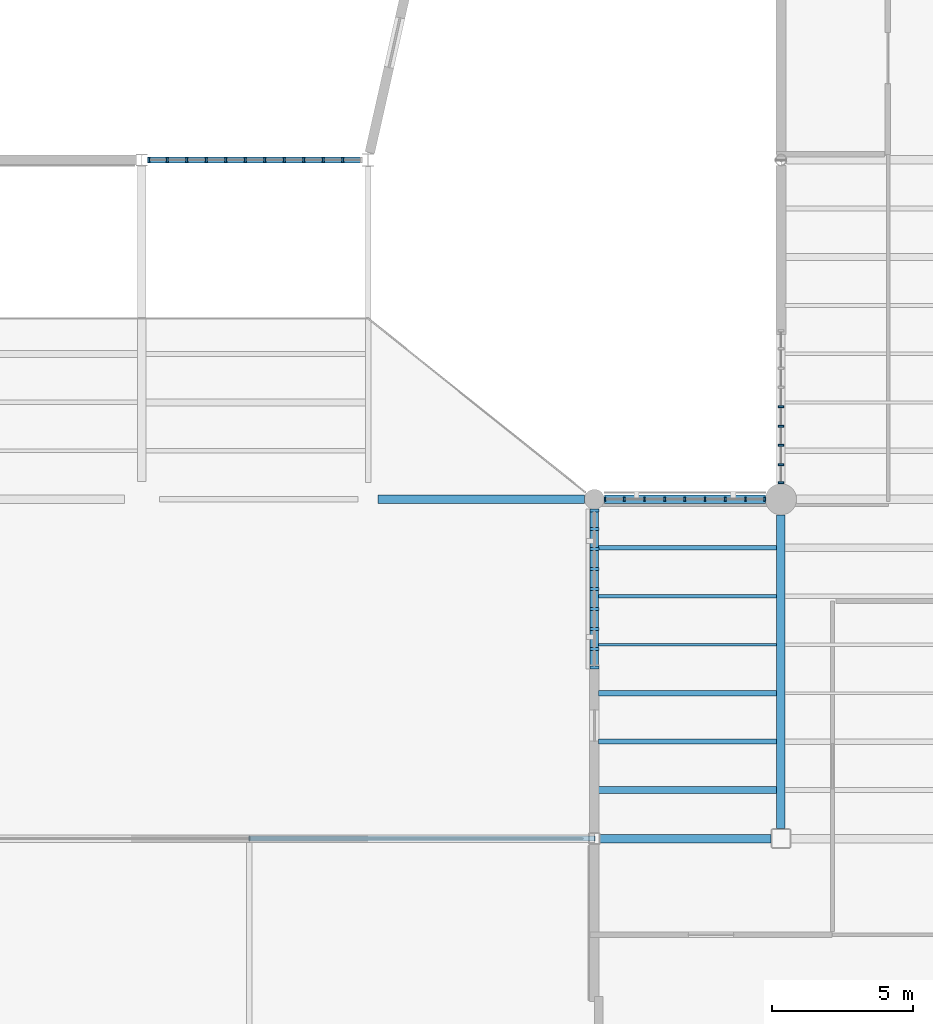
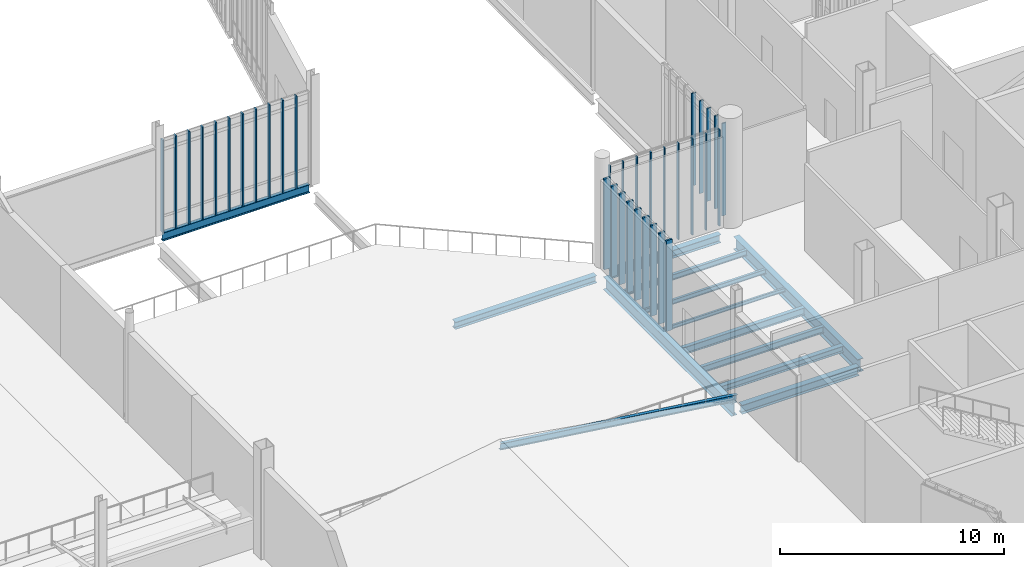
# One storey, part 22 of 135: 35 members, 12 beams, 4 elements without a shape of their own.
"""IFC4 building model written with IfcOpenShell, lengths in metres."""

from ifc_helpers import new_model, si_unit, direction, frame, origin, origin_2d, place, context, subcontext, project, spatial, rectangle, i_section, extrude, material, material_profile, profile_set, type_object, element, aggregate, save


model = new_model("IFC4")

# Units and contexts
model_context = context("Model", 3, precision=1e-05, world=origin(), true_north=direction((0.0, 1.0)))
body_context = subcontext(model_context, "Body", "Model", "MODEL_VIEW")
ifc_project = project(units=[si_unit("LENGTHUNIT", "METRE"), si_unit("AREAUNIT", "SQUARE_METRE"), si_unit("VOLUMEUNIT", "CUBIC_METRE"), si_unit("PLANEANGLEUNIT", "RADIAN"), si_unit("MASSUNIT", "GRAM", prefix="KILO")], contexts=[model_context])

# Site, building, storey
site_placement = place(None, origin())
site = spatial("IfcSite", under=ifc_project, at=site_placement, CompositionType="ELEMENT")
building_placement = place(site_placement, origin())
building = spatial("IfcBuilding", under=site, at=building_placement, Name="Larkvane Passage Sports Hall", CompositionType="ELEMENT")
storey_placement = place(building_placement, frame((0.0, 0.0, 10.800048828125)))
storey = spatial("IfcBuildingStorey", under=building, at=storey_placement, Name="L02", CompositionType="ELEMENT", Elevation=10.800048828125)

# Beams
ifc_material_1 = material(Name="Steel S355JR", Category="steel")
ifc_material_profile_1 = material_profile(ifc_material_1, i_section(OverallWidth=0.300048828125, OverallDepth=0.389892578125, WebThickness=0.010009765625, FlangeThickness=0.01611328125, FilletRadius=0.01806640625, at=origin_2d()), Name="H-390x300x10x16")
ifc_profile_set_1 = profile_set([ifc_material_profile_1], Name="Steel S355JR")
beam_type_1 = type_object("IfcBeamType", Name="BM-STL-H390", PredefinedType="BEAM", material=ifc_profile_set_1)
beam_1_placement = place(storey_placement, frame((110.35009765625, 51.60009765625, -0.614990234375), z_axis=(1.0, 0.0, 0.0), x_axis=(0.0, 1.0, 0.0)))
element("IfcBeam", 1, at=beam_1_placement, inside=storey, type_object=beam_type_1, Name="Girder BM5-X-L02-G-0704", PredefinedType="BEAM", context=body_context, shape_type="SweptSolid", body=[
    extrude(i_section(OverallWidth=0.300048828125, OverallDepth=0.389892578125, WebThickness=0.010009765625, FlangeThickness=0.01611328125, FilletRadius=0.01806640625, at=origin_2d()), origin(), (0.0, 0.0, 1.0), 7.2998046875),
])
ifc_material_profile_2 = material_profile(ifc_material_1, i_section(OverallWidth=0.300048828125, OverallDepth=0.43994140625, WebThickness=0.010986328125, FlangeThickness=0.01806640625, FilletRadius=0.01806640625, at=origin_2d()), Name="H-440x300x11x18")
ifc_profile_set_2 = profile_set([ifc_material_profile_2], Name="Steel S355JR")
beam_type_2 = type_object("IfcBeamType", Name="BM-STL-H440", PredefinedType="BEAM", material=ifc_profile_set_2)
beam_2_placement = place(storey_placement, frame((118.35009765625, 51.60009765625, -0.64013671875), z_axis=(1.0, 0.0, 0.0), x_axis=(0.0, 1.0, 0.0)))
element("IfcBeam", 2, at=beam_2_placement, inside=storey, type_object=beam_type_2, Name="Girder BM5-X-L02-G-0705", PredefinedType="BEAM", context=body_context, shape_type="SweptSolid", body=[
    extrude(i_section(OverallWidth=0.300048828125, OverallDepth=0.43994140625, WebThickness=0.010986328125, FlangeThickness=0.01806640625, FilletRadius=0.01806640625, at=origin_2d()), origin(), (0.0, 0.0, 1.0), 5.699951171875),
])
ifc_material_profile_3 = material_profile(ifc_material_1, i_section(OverallWidth=0.300048828125, OverallDepth=0.488037109375, WebThickness=0.010986328125, FlangeThickness=0.01806640625, FilletRadius=0.02197265625, at=origin_2d()), Name="H-488x300x11x18")
ifc_profile_set_3 = profile_set([ifc_material_profile_3], Name="Steel S355JR")
beam_type_3 = type_object("IfcBeamType", Name="BM-STL-H488", PredefinedType="BEAM", material=ifc_profile_set_3)
beam_3_placement = place(storey_placement, frame((118.199951171875, 39.60009765625, -0.6640625), z_axis=(1.0, 0.0, 0.0), x_axis=(0.0, 1.0, 0.0)))
element("IfcBeam", 3, at=beam_3_placement, inside=storey, type_object=beam_type_3, Name="Girder BM5-X-L02-F-0693", PredefinedType="BEAM", context=body_context, shape_type="SweptSolid", body=[
    extrude(i_section(OverallWidth=0.300048828125, OverallDepth=0.488037109375, WebThickness=0.010986328125, FlangeThickness=0.01806640625, FilletRadius=0.02197265625, at=origin_2d()), origin(), (0.0, 0.0, 1.0), 6.050048828125),
])
ifc_material_2 = material(Name="Steel S460N", Category="steel")
ifc_material_profile_4 = material_profile(ifc_material_2, i_section(OverallWidth=0.300048828125, OverallDepth=0.69189453125, WebThickness=0.012939453125, FlangeThickness=0.02001953125, FilletRadius=0.02197265625, at=origin_2d()), Name="H-692x300x13x20")
ifc_profile_set_4 = profile_set([ifc_material_profile_4], Name="Steel S460N")
beam_type_4 = type_object("IfcBeamType", Name="BM-STL-H692", PredefinedType="BEAM", material=ifc_profile_set_4)
beam_4_placement = place(storey_placement, frame((118.0, 39.800048828125, -0.76611328125), z_axis=(0.0, 1.0, 0.0), x_axis=(-1.0, 0.0, 0.0)))
element("IfcBeam", 4, at=beam_4_placement, inside=storey, type_object=beam_type_4, Name="Girder BM5-Y-L02-16-0778", PredefinedType="BEAM", context=body_context, shape_type="SweptSolid", body=[
    extrude(i_section(OverallWidth=0.300048828125, OverallDepth=0.69189453125, WebThickness=0.012939453125, FlangeThickness=0.02001953125, FilletRadius=0.02197265625, at=origin_2d()), origin(), (0.0, 0.0, 1.0), 11.449951171875),
])
ifc_material_profile_5 = material_profile(ifc_material_2, i_section(OverallWidth=0.300048828125, OverallDepth=0.699951171875, WebThickness=0.012939453125, FlangeThickness=0.02392578125, FilletRadius=0.02197265625, at=origin_2d()), Name="H-700x300x13x24")
ifc_profile_set_5 = profile_set([ifc_material_profile_5], Name="Steel S460N")
beam_type_5 = type_object("IfcBeamType", Name="BM-STL-H700", PredefinedType="BEAM", material=ifc_profile_set_5)
beam_5_placement = place(storey_placement, frame((124.60009765625, 39.949951171875, -0.77001953125), z_axis=(0.0, 1.0, 0.0), x_axis=(-1.0, 0.0, 0.0)))
element("IfcBeam", 5, at=beam_5_placement, inside=storey, type_object=beam_type_5, Name="Girder BM5-Y-L02-17-0779", PredefinedType="BEAM", context=body_context, shape_type="SweptSolid", body=[
    extrude(i_section(OverallWidth=0.300048828125, OverallDepth=0.699951171875, WebThickness=0.012939453125, FlangeThickness=0.02392578125, FilletRadius=0.02197265625, at=origin_2d()), origin(), (0.0, 0.0, 1.0), 11.10009765625),
])

# Curtain wall, members
ifc_material_3 = material(Name="Thermally broken aluminium and low-E glazing", Category="aluminium")
curtain_wall_type_1 = type_object("IfcCurtainWallType", Name="CW-CLINIC", PredefinedType="USERDEFINED", material=ifc_material_3)
curtain_wall_1_placement = place(storey_placement, origin())
curtain_wall_1 = element("IfcCurtainWall", 6, at=curtain_wall_1_placement, inside=storey, type_object=curtain_wall_type_1, Name="Curtain wall CW5-L02-075", ObjectType="UNITISED CURTAIN WALL", PredefinedType="USERDEFINED")
ifc_material_4 = material(Name="Anodised aluminium 6063-T6", Category="aluminium")
ifc_material_profile_6 = material_profile(ifc_material_4, rectangle(XDim=0.10009765625, YDim=0.320068359375, at=origin_2d()), Name="ALU-MUL-100x320")
ifc_profile_set_6 = profile_set([ifc_material_profile_6], Name="Anodised aluminium 6063-T6")
member_type_1 = type_object("IfcMemberType", Name="CW-MUL-100x320", PredefinedType="MULLION", material=ifc_profile_set_6)
member_1_placement = place(storey_placement, frame((118.0, 45.64990234375, 0.0), z_axis=(0.0, 0.0, 1.0), x_axis=(0.0, 1.0, 0.0)))
member_1 = element("IfcMember", 7, at=member_1_placement, type_object=member_type_1, Name="CW-05 mullion 1", PredefinedType="MULLION", context=body_context, shape_type="SweptSolid", body=[
    extrude(rectangle(XDim=0.10009765625, YDim=0.320068359375, at=origin_2d()), origin(), (0.0, 0.0, 1.0), 4.947998046875),
])
member_2_placement = place(storey_placement, frame((118.0, 46.306640625, 0.0), z_axis=(0.0, 0.0, 1.0), x_axis=(0.0, 1.0, 0.0)))
member_2 = element("IfcMember", 8, at=member_2_placement, type_object=member_type_1, Name="CW-05 mullion 2", PredefinedType="MULLION", context=body_context, shape_type="SweptSolid", body=[
    extrude(rectangle(XDim=0.10009765625, YDim=0.320068359375, at=origin_2d()), origin(), (0.0, 0.0, 1.0), 4.947998046875),
])
member_3_placement = place(storey_placement, frame((118.0, 47.013427734375, 0.0), z_axis=(0.0, 0.0, 1.0), x_axis=(0.0, 1.0, 0.0)))
member_3 = element("IfcMember", 9, at=member_3_placement, type_object=member_type_1, Name="CW-05 mullion 3", PredefinedType="MULLION", context=body_context, shape_type="SweptSolid", body=[
    extrude(rectangle(XDim=0.10009765625, YDim=0.320068359375, at=origin_2d()), origin(), (0.0, 0.0, 1.0), 4.947998046875),
])
member_4_placement = place(storey_placement, frame((118.0, 47.72021484375, 0.0), z_axis=(0.0, 0.0, 1.0), x_axis=(0.0, 1.0, 0.0)))
member_4 = element("IfcMember", 10, at=member_4_placement, type_object=member_type_1, Name="CW-05 mullion 4", PredefinedType="MULLION", context=body_context, shape_type="SweptSolid", body=[
    extrude(rectangle(XDim=0.10009765625, YDim=0.320068359375, at=origin_2d()), origin(), (0.0, 0.0, 1.0), 4.947998046875),
])
member_5_placement = place(storey_placement, frame((118.0, 48.427001953125, 0.0), z_axis=(0.0, 0.0, 1.0), x_axis=(0.0, 1.0, 0.0)))
member_5 = element("IfcMember", 11, at=member_5_placement, type_object=member_type_1, Name="CW-05 mullion 5", PredefinedType="MULLION", context=body_context, shape_type="SweptSolid", body=[
    extrude(rectangle(XDim=0.10009765625, YDim=0.320068359375, at=origin_2d()), origin(), (0.0, 0.0, 1.0), 4.947998046875),
])
member_6_placement = place(storey_placement, frame((118.0, 49.1337890625, 0.0), z_axis=(0.0, 0.0, 1.0), x_axis=(0.0, 1.0, 0.0)))
member_6 = element("IfcMember", 12, at=member_6_placement, type_object=member_type_1, Name="CW-05 mullion 6", PredefinedType="MULLION", context=body_context, shape_type="SweptSolid", body=[
    extrude(rectangle(XDim=0.10009765625, YDim=0.320068359375, at=origin_2d()), origin(), (0.0, 0.0, 1.0), 4.947998046875),
])
member_7_placement = place(storey_placement, frame((118.0, 49.840576171875, 0.0), z_axis=(0.0, 0.0, 1.0), x_axis=(0.0, 1.0, 0.0)))
member_7 = element("IfcMember", 13, at=member_7_placement, type_object=member_type_1, Name="CW-05 mullion 7", PredefinedType="MULLION", context=body_context, shape_type="SweptSolid", body=[
    extrude(rectangle(XDim=0.10009765625, YDim=0.320068359375, at=origin_2d()), origin(), (0.0, 0.0, 1.0), 4.947998046875),
])
member_8_placement = place(storey_placement, frame((118.0, 50.54736328125, 0.0), z_axis=(0.0, 0.0, 1.0), x_axis=(0.0, 1.0, 0.0)))
member_8 = element("IfcMember", 14, at=member_8_placement, type_object=member_type_1, Name="CW-05 mullion 8", PredefinedType="MULLION", context=body_context, shape_type="SweptSolid", body=[
    extrude(rectangle(XDim=0.10009765625, YDim=0.320068359375, at=origin_2d()), origin(), (0.0, 0.0, 1.0), 4.947998046875),
])
member_9_placement = place(storey_placement, frame((118.0, 51.2041015625, 0.0), z_axis=(0.0, 0.0, 1.0), x_axis=(0.0, 1.0, 0.0)))
member_9 = element("IfcMember", 15, at=member_9_placement, type_object=member_type_1, Name="CW-05 mullion 9", PredefinedType="MULLION", context=body_context, shape_type="SweptSolid", body=[
    extrude(rectangle(XDim=0.10009765625, YDim=0.320068359375, at=origin_2d()), origin(), (0.0, 0.0, 1.0), 4.947998046875),
])
aggregate(curtain_wall_1, [member_1, member_2, member_3, member_4, member_5, member_6, member_7, member_8, member_9])

curtain_wall_type_2 = type_object("IfcCurtainWallType", Name="CW-UNIT-COURT", PredefinedType="USERDEFINED", material=ifc_material_3)
curtain_wall_2_placement = place(storey_placement, origin())
curtain_wall_2 = element("IfcCurtainWall", 16, at=curtain_wall_2_placement, inside=storey, type_object=curtain_wall_type_2, Name="Curtain wall CW5-L02-076", ObjectType="UNITISED CURTAIN WALL", PredefinedType="USERDEFINED")
ifc_material_profile_7 = material_profile(ifc_material_4, rectangle(XDim=0.06005859375, YDim=0.14990234375, at=origin_2d()), Name="ALU-MUL-60x150")
ifc_profile_set_7 = profile_set([ifc_material_profile_7], Name="Anodised aluminium 6063-T6")
member_type_2 = type_object("IfcMemberType", Name="CW-MUL-60x150", PredefinedType="MULLION", material=ifc_profile_set_7)
member_10_placement = place(storey_placement, frame((118.3759765625, 51.60009765625, 0.0), z_axis=(0.0, 0.0, 1.0), x_axis=(1.0, 0.0, 0.0)))
member_10 = element("IfcMember", 17, at=member_10_placement, type_object=member_type_2, Name="CW-01 mullion 1", PredefinedType="MULLION", context=body_context, shape_type="SweptSolid", body=[
    extrude(rectangle(XDim=0.06005859375, YDim=0.14990234375, at=origin_2d()), origin(), (0.0, 0.0, 1.0), 5.258056640625),
])
member_11_placement = place(storey_placement, frame((119.0595703125, 51.60009765625, 0.0), z_axis=(0.0, 0.0, 1.0), x_axis=(1.0, 0.0, 0.0)))
member_11 = element("IfcMember", 18, at=member_11_placement, type_object=member_type_2, Name="CW-01 mullion 2", PredefinedType="MULLION", context=body_context, shape_type="SweptSolid", body=[
    extrude(rectangle(XDim=0.06005859375, YDim=0.14990234375, at=origin_2d()), origin(), (0.0, 0.0, 1.0), 5.258056640625),
])
member_12_placement = place(storey_placement, frame((119.77294921875, 51.60009765625, 0.0), z_axis=(0.0, 0.0, 1.0), x_axis=(1.0, 0.0, 0.0)))
member_12 = element("IfcMember", 19, at=member_12_placement, type_object=member_type_2, Name="CW-01 mullion 3", PredefinedType="MULLION", context=body_context, shape_type="SweptSolid", body=[
    extrude(rectangle(XDim=0.06005859375, YDim=0.14990234375, at=origin_2d()), origin(), (0.0, 0.0, 1.0), 5.258056640625),
])
member_13_placement = place(storey_placement, frame((120.486572265625, 51.60009765625, 0.0), z_axis=(0.0, 0.0, 1.0), x_axis=(1.0, 0.0, 0.0)))
member_13 = element("IfcMember", 20, at=member_13_placement, type_object=member_type_2, Name="CW-01 mullion 4", PredefinedType="MULLION", context=body_context, shape_type="SweptSolid", body=[
    extrude(rectangle(XDim=0.06005859375, YDim=0.14990234375, at=origin_2d()), origin(), (0.0, 0.0, 1.0), 5.258056640625),
])
member_14_placement = place(storey_placement, frame((121.199951171875, 51.60009765625, 0.0), z_axis=(0.0, 0.0, 1.0), x_axis=(1.0, 0.0, 0.0)))
member_14 = element("IfcMember", 21, at=member_14_placement, type_object=member_type_2, Name="CW-01 mullion 5", PredefinedType="MULLION", context=body_context, shape_type="SweptSolid", body=[
    extrude(rectangle(XDim=0.06005859375, YDim=0.14990234375, at=origin_2d()), origin(), (0.0, 0.0, 1.0), 5.258056640625),
])
member_15_placement = place(storey_placement, frame((121.91357421875, 51.60009765625, 0.0), z_axis=(0.0, 0.0, 1.0), x_axis=(1.0, 0.0, 0.0)))
member_15 = element("IfcMember", 22, at=member_15_placement, type_object=member_type_2, Name="CW-01 mullion 6", PredefinedType="MULLION", context=body_context, shape_type="SweptSolid", body=[
    extrude(rectangle(XDim=0.06005859375, YDim=0.14990234375, at=origin_2d()), origin(), (0.0, 0.0, 1.0), 5.258056640625),
])
member_16_placement = place(storey_placement, frame((122.626953125, 51.60009765625, 0.0), z_axis=(0.0, 0.0, 1.0), x_axis=(1.0, 0.0, 0.0)))
member_16 = element("IfcMember", 23, at=member_16_placement, type_object=member_type_2, Name="CW-01 mullion 7", PredefinedType="MULLION", context=body_context, shape_type="SweptSolid", body=[
    extrude(rectangle(XDim=0.06005859375, YDim=0.14990234375, at=origin_2d()), origin(), (0.0, 0.0, 1.0), 5.258056640625),
])
member_17_placement = place(storey_placement, frame((123.340576171875, 51.60009765625, 0.0), z_axis=(0.0, 0.0, 1.0), x_axis=(1.0, 0.0, 0.0)))
member_17 = element("IfcMember", 24, at=member_17_placement, type_object=member_type_2, Name="CW-01 mullion 8", PredefinedType="MULLION", context=body_context, shape_type="SweptSolid", body=[
    extrude(rectangle(XDim=0.06005859375, YDim=0.14990234375, at=origin_2d()), origin(), (0.0, 0.0, 1.0), 5.258056640625),
])
member_18_placement = place(storey_placement, frame((124.02392578125, 51.60009765625, 0.0), z_axis=(0.0, 0.0, 1.0), x_axis=(1.0, 0.0, 0.0)))
member_18 = element("IfcMember", 25, at=member_18_placement, type_object=member_type_2, Name="CW-01 mullion 9", PredefinedType="MULLION", context=body_context, shape_type="SweptSolid", body=[
    extrude(rectangle(XDim=0.06005859375, YDim=0.14990234375, at=origin_2d()), origin(), (0.0, 0.0, 1.0), 5.258056640625),
])
aggregate(curtain_wall_2, [member_10, member_11, member_12, member_13, member_14, member_15, member_16, member_17, member_18])

curtain_wall_type_3 = type_object("IfcCurtainWallType", Name="CW-UNIT-VEIL", PredefinedType="USERDEFINED", material=ifc_material_3)
curtain_wall_3_placement = place(storey_placement, origin())
curtain_wall_3 = element("IfcCurtainWall", 26, at=curtain_wall_3_placement, inside=storey, type_object=curtain_wall_type_3, Name="Curtain wall CW5-L02-077", ObjectType="UNITISED CURTAIN WALL", PredefinedType="USERDEFINED")
ifc_material_profile_8 = material_profile(ifc_material_4, rectangle(XDim=0.070068359375, YDim=0.199951171875, at=origin_2d()), Name="ALU-MUL-70x200")
ifc_profile_set_8 = profile_set([ifc_material_profile_8], Name="Anodised aluminium 6063-T6")
member_type_3 = type_object("IfcMemberType", Name="CW-MUL-70x200", PredefinedType="MULLION", material=ifc_profile_set_8)
member_19_placement = place(storey_placement, frame((124.60009765625, 52.180908203125, 0.0), z_axis=(0.0, 0.0, 1.0), x_axis=(0.0, 1.0, 0.0)))
member_19 = element("IfcMember", 27, at=member_19_placement, type_object=member_type_3, Name="CW-02 mullion 1", PredefinedType="MULLION", context=body_context, shape_type="SweptSolid", body=[
    extrude(rectangle(XDim=0.070068359375, YDim=0.199951171875, at=origin_2d()), origin(), (0.0, 0.0, 1.0), 5.0478515625),
])
member_20_placement = place(storey_placement, frame((124.60009765625, 52.82763671875, 0.0), z_axis=(0.0, 0.0, 1.0), x_axis=(0.0, 1.0, 0.0)))
member_20 = element("IfcMember", 28, at=member_20_placement, type_object=member_type_3, Name="CW-02 mullion 2", PredefinedType="MULLION", context=body_context, shape_type="SweptSolid", body=[
    extrude(rectangle(XDim=0.070068359375, YDim=0.199951171875, at=origin_2d()), origin(), (0.0, 0.0, 1.0), 5.0478515625),
])
member_21_placement = place(storey_placement, frame((124.60009765625, 53.509521484375, 0.0), z_axis=(0.0, 0.0, 1.0), x_axis=(0.0, 1.0, 0.0)))
member_21 = element("IfcMember", 29, at=member_21_placement, type_object=member_type_3, Name="CW-02 mullion 3", PredefinedType="MULLION", context=body_context, shape_type="SweptSolid", body=[
    extrude(rectangle(XDim=0.070068359375, YDim=0.199951171875, at=origin_2d()), origin(), (0.0, 0.0, 1.0), 5.0478515625),
])
member_22_placement = place(storey_placement, frame((124.60009765625, 54.191162109375, 0.0), z_axis=(0.0, 0.0, 1.0), x_axis=(0.0, 1.0, 0.0)))
member_22 = element("IfcMember", 30, at=member_22_placement, type_object=member_type_3, Name="CW-02 mullion 4", PredefinedType="MULLION", context=body_context, shape_type="SweptSolid", body=[
    extrude(rectangle(XDim=0.070068359375, YDim=0.199951171875, at=origin_2d()), origin(), (0.0, 0.0, 1.0), 5.0478515625),
])
member_23_placement = place(storey_placement, frame((124.60009765625, 54.873046875, 0.0), z_axis=(0.0, 0.0, 1.0), x_axis=(0.0, 1.0, 0.0)))
member_23 = element("IfcMember", 31, at=member_23_placement, type_object=member_type_3, Name="CW-02 mullion 5", PredefinedType="MULLION", context=body_context, shape_type="SweptSolid", body=[
    extrude(rectangle(XDim=0.070068359375, YDim=0.199951171875, at=origin_2d()), origin(), (0.0, 0.0, 1.0), 5.0478515625),
])
aggregate(curtain_wall_3, [member_19, member_20, member_21, member_22, member_23])

curtain_wall_4_placement = place(storey_placement, origin())
curtain_wall_4 = element("IfcCurtainWall", 32, at=curtain_wall_4_placement, inside=storey, type_object=curtain_wall_type_3, Name="Curtain wall CW5-L02-085", ObjectType="UNITISED CURTAIN WALL", PredefinedType="USERDEFINED")
member_24_placement = place(storey_placement, frame((109.10498046875, 63.60009765625, 0.0), z_axis=(0.0, 0.0, 1.0), x_axis=(-1.0, 0.0, 0.0)))
member_24 = element("IfcMember", 33, at=member_24_placement, type_object=member_type_3, Name="CW-02 mullion 2", PredefinedType="MULLION", context=body_context, shape_type="SweptSolid", body=[
    extrude(rectangle(XDim=0.070068359375, YDim=0.199951171875, at=origin_2d()), origin(), (0.0, 0.0, 1.0), 5.06005859375),
])
member_25_placement = place(storey_placement, frame((108.414306640625, 63.60009765625, 0.0), z_axis=(0.0, 0.0, 1.0), x_axis=(-1.0, 0.0, 0.0)))
member_25 = element("IfcMember", 34, at=member_25_placement, type_object=member_type_3, Name="CW-02 mullion 3", PredefinedType="MULLION", context=body_context, shape_type="SweptSolid", body=[
    extrude(rectangle(XDim=0.070068359375, YDim=0.199951171875, at=origin_2d()), origin(), (0.0, 0.0, 1.0), 5.06005859375),
])
member_26_placement = place(storey_placement, frame((107.7236328125, 63.60009765625, 0.0), z_axis=(0.0, 0.0, 1.0), x_axis=(-1.0, 0.0, 0.0)))
member_26 = element("IfcMember", 35, at=member_26_placement, type_object=member_type_3, Name="CW-02 mullion 4", PredefinedType="MULLION", context=body_context, shape_type="SweptSolid", body=[
    extrude(rectangle(XDim=0.070068359375, YDim=0.199951171875, at=origin_2d()), origin(), (0.0, 0.0, 1.0), 5.06005859375),
])
member_27_placement = place(storey_placement, frame((107.032958984375, 63.60009765625, 0.0), z_axis=(0.0, 0.0, 1.0), x_axis=(-1.0, 0.0, 0.0)))
member_27 = element("IfcMember", 36, at=member_27_placement, type_object=member_type_3, Name="CW-02 mullion 5", PredefinedType="MULLION", context=body_context, shape_type="SweptSolid", body=[
    extrude(rectangle(XDim=0.070068359375, YDim=0.199951171875, at=origin_2d()), origin(), (0.0, 0.0, 1.0), 5.06005859375),
])
member_28_placement = place(storey_placement, frame((106.34228515625, 63.60009765625, 0.0), z_axis=(0.0, 0.0, 1.0), x_axis=(-1.0, 0.0, 0.0)))
member_28 = element("IfcMember", 37, at=member_28_placement, type_object=member_type_3, Name="CW-02 mullion 6", PredefinedType="MULLION", context=body_context, shape_type="SweptSolid", body=[
    extrude(rectangle(XDim=0.070068359375, YDim=0.199951171875, at=origin_2d()), origin(), (0.0, 0.0, 1.0), 5.06005859375),
])
member_29_placement = place(storey_placement, frame((105.651611328125, 63.60009765625, 0.0), z_axis=(0.0, 0.0, 1.0), x_axis=(-1.0, 0.0, 0.0)))
member_29 = element("IfcMember", 38, at=member_29_placement, type_object=member_type_3, Name="CW-02 mullion 7", PredefinedType="MULLION", context=body_context, shape_type="SweptSolid", body=[
    extrude(rectangle(XDim=0.070068359375, YDim=0.199951171875, at=origin_2d()), origin(), (0.0, 0.0, 1.0), 5.06005859375),
])
member_30_placement = place(storey_placement, frame((104.9609375, 63.60009765625, 0.0), z_axis=(0.0, 0.0, 1.0), x_axis=(-1.0, 0.0, 0.0)))
member_30 = element("IfcMember", 39, at=member_30_placement, type_object=member_type_3, Name="CW-02 mullion 8", PredefinedType="MULLION", context=body_context, shape_type="SweptSolid", body=[
    extrude(rectangle(XDim=0.070068359375, YDim=0.199951171875, at=origin_2d()), origin(), (0.0, 0.0, 1.0), 5.06005859375),
])
member_31_placement = place(storey_placement, frame((104.2705078125, 63.60009765625, 0.0), z_axis=(0.0, 0.0, 1.0), x_axis=(-1.0, 0.0, 0.0)))
member_31 = element("IfcMember", 40, at=member_31_placement, type_object=member_type_3, Name="CW-02 mullion 9", PredefinedType="MULLION", context=body_context, shape_type="SweptSolid", body=[
    extrude(rectangle(XDim=0.070068359375, YDim=0.199951171875, at=origin_2d()), origin(), (0.0, 0.0, 1.0), 5.06005859375),
])
member_32_placement = place(storey_placement, frame((103.579833984375, 63.60009765625, 0.0), z_axis=(0.0, 0.0, 1.0), x_axis=(-1.0, 0.0, 0.0)))
member_32 = element("IfcMember", 41, at=member_32_placement, type_object=member_type_3, Name="CW-02 mullion 10", PredefinedType="MULLION", context=body_context, shape_type="SweptSolid", body=[
    extrude(rectangle(XDim=0.070068359375, YDim=0.199951171875, at=origin_2d()), origin(), (0.0, 0.0, 1.0), 5.06005859375),
])
member_33_placement = place(storey_placement, frame((102.88916015625, 63.60009765625, 0.0), z_axis=(0.0, 0.0, 1.0), x_axis=(-1.0, 0.0, 0.0)))
member_33 = element("IfcMember", 42, at=member_33_placement, type_object=member_type_3, Name="CW-02 mullion 11", PredefinedType="MULLION", context=body_context, shape_type="SweptSolid", body=[
    extrude(rectangle(XDim=0.070068359375, YDim=0.199951171875, at=origin_2d()), origin(), (0.0, 0.0, 1.0), 5.06005859375),
])
member_34_placement = place(storey_placement, frame((102.2333984375, 63.60009765625, 0.0), z_axis=(0.0, 0.0, 1.0), x_axis=(-1.0, 0.0, 0.0)))
member_34 = element("IfcMember", 43, at=member_34_placement, type_object=member_type_3, Name="CW-02 mullion 12", PredefinedType="MULLION", context=body_context, shape_type="SweptSolid", body=[
    extrude(rectangle(XDim=0.070068359375, YDim=0.199951171875, at=origin_2d()), origin(), (0.0, 0.0, 1.0), 5.06005859375),
])
aggregate(curtain_wall_4, [member_24, member_25, member_26, member_27, member_28, member_29, member_30, member_31, member_32, member_33, member_34])

# Beams
ifc_material_profile_9 = material_profile(ifc_material_1, i_section(OverallWidth=0.10009765625, OverallDepth=0.199951171875, WebThickness=0.005615234375, FlangeThickness=0.008056640625, FilletRadius=0.008056640625, at=origin_2d()), Name="H-200x100x5.5x8")
ifc_profile_set_9 = profile_set([ifc_material_profile_9], Name="Steel S355JR")
beam_type_6 = type_object("IfcBeamType", Name="JST-STL-H200", PredefinedType="JOIST", material=ifc_profile_set_9)
beam_6_placement = place(storey_placement, frame((118.14990234375, 46.45703125, -0.52001953125), z_axis=(1.0, 0.0, 0.0), x_axis=(0.0, 1.0, 0.0)))
element("IfcBeam", 44, at=beam_6_placement, inside=storey, type_object=beam_type_6, Name="Composite joist L02 16/F-4", PredefinedType="JOIST", context=body_context, shape_type="SweptSolid", body=[
    extrude(i_section(OverallWidth=0.10009765625, OverallDepth=0.199951171875, WebThickness=0.005615234375, FlangeThickness=0.008056640625, FilletRadius=0.008056640625, at=origin_2d()), origin(), (0.0, 0.0, 1.0), 6.300048828125),
])
ifc_material_profile_10 = material_profile(ifc_material_1, i_section(OverallWidth=0.125, OverallDepth=0.25, WebThickness=0.006103515625, FlangeThickness=0.009033203125, FilletRadius=0.008056640625, at=origin_2d()), Name="H-250x125x6x9")
ifc_profile_set_10 = profile_set([ifc_material_profile_10], Name="Steel S355JR")
beam_type_7 = type_object("IfcBeamType", Name="JST-STL-H250", PredefinedType="JOIST", material=ifc_profile_set_10)
beam_7_placement = place(storey_placement, frame((118.14990234375, 48.17138671875, -0.545166015625), z_axis=(1.0, 0.0, 0.0), x_axis=(0.0, 1.0, 0.0)))
element("IfcBeam", 45, at=beam_7_placement, inside=storey, type_object=beam_type_7, Name="Composite joist L02 16/F-5", PredefinedType="JOIST", context=body_context, shape_type="SweptSolid", body=[
    extrude(i_section(OverallWidth=0.125, OverallDepth=0.25, WebThickness=0.006103515625, FlangeThickness=0.009033203125, FilletRadius=0.008056640625, at=origin_2d()), origin(), (0.0, 0.0, 1.0), 6.300048828125),
])
ifc_material_profile_11 = material_profile(ifc_material_1, i_section(OverallWidth=0.14990234375, OverallDepth=0.300048828125, WebThickness=0.006591796875, FlangeThickness=0.009033203125, FilletRadius=0.012939453125, at=origin_2d()), Name="H-300x150x6.5x9")
ifc_profile_set_11 = profile_set([ifc_material_profile_11], Name="Steel S355JR")
beam_type_8 = type_object("IfcBeamType", Name="JST-STL-H300", PredefinedType="JOIST", material=ifc_profile_set_11)
beam_8_placement = place(storey_placement, frame((118.14990234375, 49.8857421875, -0.570068359375), z_axis=(1.0, 0.0, 0.0), x_axis=(0.0, 1.0, 0.0)))
element("IfcBeam", 46, at=beam_8_placement, inside=storey, type_object=beam_type_8, Name="Composite joist L02 16/F-6", PredefinedType="JOIST", context=body_context, shape_type="SweptSolid", body=[
    extrude(i_section(OverallWidth=0.14990234375, OverallDepth=0.300048828125, WebThickness=0.006591796875, FlangeThickness=0.009033203125, FilletRadius=0.012939453125, at=origin_2d()), origin(), (0.0, 0.0, 1.0), 6.300048828125),
])
ifc_material_profile_12 = material_profile(ifc_material_1, i_section(OverallWidth=0.25, OverallDepth=0.340087890625, WebThickness=0.009033203125, FlangeThickness=0.013916015625, FilletRadius=0.012939453125, at=origin_2d()), Name="H-340x250x9x14")
ifc_profile_set_12 = profile_set([ifc_material_profile_12], Name="Steel S355JR")
beam_type_9 = type_object("IfcBeamType", Name="JST-STL-H340", PredefinedType="JOIST", material=ifc_profile_set_12)
beam_9_placement = place(storey_placement, frame((118.14990234375, 41.314208984375, -0.590087890625), z_axis=(1.0, 0.0, 0.0), x_axis=(0.0, 1.0, 0.0)))
element("IfcBeam", 47, at=beam_9_placement, inside=storey, type_object=beam_type_9, Name="Composite joist L02 16/F-1", PredefinedType="JOIST", context=body_context, shape_type="SweptSolid", body=[
    extrude(i_section(OverallWidth=0.25, OverallDepth=0.340087890625, WebThickness=0.009033203125, FlangeThickness=0.013916015625, FilletRadius=0.012939453125, at=origin_2d()), origin(), (0.0, 0.0, 1.0), 6.300048828125),
])
ifc_material_profile_13 = material_profile(ifc_material_1, i_section(OverallWidth=0.175048828125, OverallDepth=0.35009765625, WebThickness=0.007080078125, FlangeThickness=0.010986328125, FilletRadius=0.012939453125, at=origin_2d()), Name="H-350x175x7x11")
ifc_profile_set_13 = profile_set([ifc_material_profile_13], Name="Steel S355JR")
beam_type_10 = type_object("IfcBeamType", Name="JST-STL-H350", PredefinedType="JOIST", material=ifc_profile_set_13)
beam_10_placement = place(storey_placement, frame((118.14990234375, 43.028564453125, -0.594970703125), z_axis=(1.0, 0.0, 0.0), x_axis=(0.0, 1.0, 0.0)))
element("IfcBeam", 48, at=beam_10_placement, inside=storey, type_object=beam_type_10, Name="Composite joist L02 16/F-2", PredefinedType="JOIST", context=body_context, shape_type="SweptSolid", body=[
    extrude(i_section(OverallWidth=0.175048828125, OverallDepth=0.35009765625, WebThickness=0.007080078125, FlangeThickness=0.010986328125, FilletRadius=0.012939453125, at=origin_2d()), origin(), (0.0, 0.0, 1.0), 6.300048828125),
])
ifc_material_profile_14 = material_profile(ifc_material_1, i_section(OverallWidth=0.199951171875, OverallDepth=0.39990234375, WebThickness=0.008056640625, FlangeThickness=0.012939453125, FilletRadius=0.012939453125, at=origin_2d()), Name="H-400x200x8x13")
ifc_profile_set_14 = profile_set([ifc_material_profile_14], Name="Steel S355JR")
beam_type_11 = type_object("IfcBeamType", Name="JST-STL-H400", PredefinedType="JOIST", material=ifc_profile_set_14)
beam_11_placement = place(storey_placement, frame((118.14990234375, 44.742919921875, -0.6201171875), z_axis=(1.0, 0.0, 0.0), x_axis=(0.0, 1.0, 0.0)))
element("IfcBeam", 49, at=beam_11_placement, inside=storey, type_object=beam_type_11, Name="Composite joist L02 16/F-3", PredefinedType="JOIST", context=body_context, shape_type="SweptSolid", body=[
    extrude(i_section(OverallWidth=0.199951171875, OverallDepth=0.39990234375, WebThickness=0.008056640625, FlangeThickness=0.012939453125, FilletRadius=0.012939453125, at=origin_2d()), origin(), (0.0, 0.0, 1.0), 6.300048828125),
])

# Member
ifc_material_profile_15 = material_profile(ifc_material_1, i_section(OverallWidth=0.175048828125, OverallDepth=0.35009765625, WebThickness=0.007080078125, FlangeThickness=0.010986328125, FilletRadius=0.012939453125, at=origin_2d()), Name="H-350x175x7x11")
ifc_profile_set_15 = profile_set([ifc_material_profile_15], Name="Steel S355JR")
member_type_4 = type_object("IfcMemberType", Name="MBR-RF-H350", PredefinedType="RAFTER", material=ifc_profile_set_15)
member_35_placement = place(storey_placement, frame((118.0, 39.60009765625, 0.02001953125), z_axis=(-0.991510998354, 0.0, 0.130022844694), x_axis=(0.0, -1.0, 0.0)))
element("IfcMember", 50, at=member_35_placement, inside=storey, type_object=member_type_4, Name="Entrance foyer canopy portal rafter 2", PredefinedType="RAFTER", context=body_context, shape_type="SweptSolid", body=[
    extrude(i_section(OverallWidth=0.175048828125, OverallDepth=0.35009765625, WebThickness=0.007080078125, FlangeThickness=0.010986328125, FilletRadius=0.012939453125, at=origin_2d()), origin(), (0.0, 0.0, 1.0), 12.304443359375),
])

# Beam
ifc_material_profile_16 = material_profile(ifc_material_1, i_section(OverallWidth=0.199951171875, OverallDepth=0.449951171875, WebThickness=0.009033203125, FlangeThickness=0.013916015625, FilletRadius=0.01806640625, at=origin_2d()), Name="H-450x200x9x14")
ifc_profile_set_16 = profile_set([ifc_material_profile_16], Name="Steel S355JR")
beam_type_12 = type_object("IfcBeamType", Name="SP-STL-H450", PredefinedType="SPANDREL", material=ifc_profile_set_16)
beam_12_placement = place(storey_placement, frame((102.2099609375, 63.60009765625, -0.22509765625), z_axis=(1.0, 0.0, 0.0), x_axis=(0.0, 1.0, 0.0)))
element("IfcBeam", 51, at=beam_12_placement, inside=storey, type_object=beam_type_12, Name="Climbing hall L02 spandrel beam BM5-V3-SP-H2", PredefinedType="SPANDREL", context=body_context, shape_type="SweptSolid", body=[
    extrude(i_section(OverallWidth=0.199951171875, OverallDepth=0.449951171875, WebThickness=0.009033203125, FlangeThickness=0.013916015625, FilletRadius=0.01806640625, at=origin_2d()), origin(), (0.0, 0.0, 1.0), 7.580078125),
])

save(model, "model.ifc")
